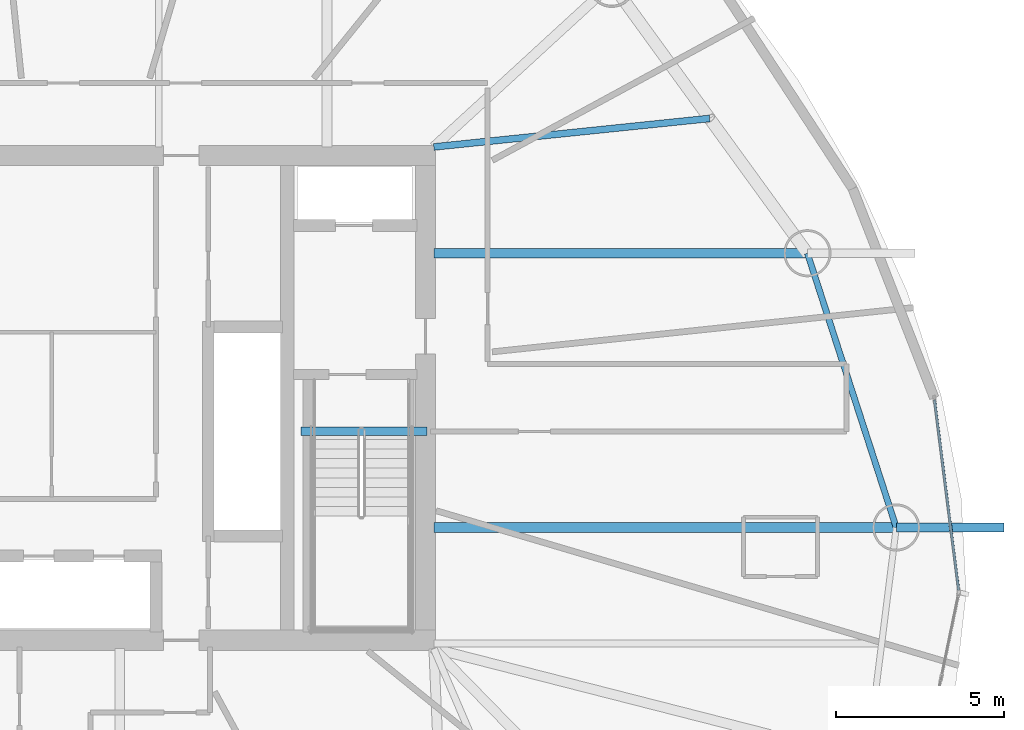
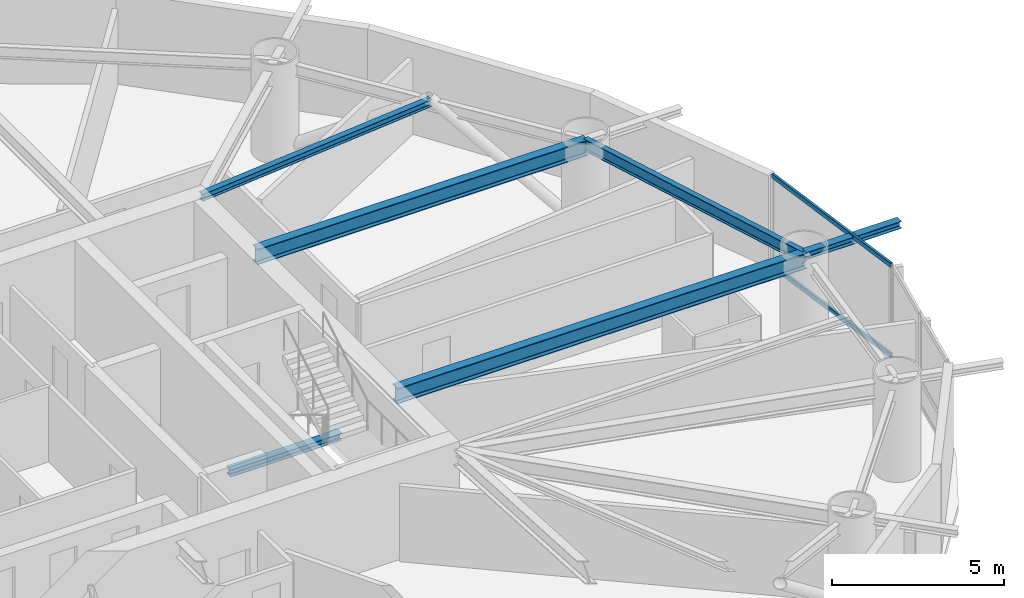
# One storey, part 11 of 26: 6 beams, 2 members, 1 element without a shape of its own.
"""IFC4 building model written with IfcOpenShell, lengths in metres."""

from ifc_helpers import new_model, si_unit, direction, frame, origin, origin_2d, place, context, subcontext, project, spatial, hollow_rectangle, i_section, extrude, material, layer, layer_set, material_profile, profile_set, type_object, element, aggregate, save


model = new_model("IFC4")

# Units and contexts
model_context = context("Model", 3, precision=1e-05, world=origin(), true_north=direction((0.0, 1.0)))
body_context = subcontext(model_context, "Body", "Model", "MODEL_VIEW")
ifc_project = project(units=[si_unit("LENGTHUNIT", "METRE"), si_unit("AREAUNIT", "SQUARE_METRE"), si_unit("VOLUMEUNIT", "CUBIC_METRE"), si_unit("PLANEANGLEUNIT", "RADIAN"), si_unit("MASSUNIT", "GRAM", prefix="KILO")], contexts=[model_context])

# Site, building, storey
site_placement = place(None, origin())
site = spatial("IfcSite", under=ifc_project, at=site_placement, CompositionType="ELEMENT")
building_placement = place(site_placement, origin())
building = spatial("IfcBuilding", under=site, at=building_placement, Name="Bramvorn Convention Spire", CompositionType="ELEMENT")
storey_placement = place(building_placement, frame((0.0, 0.0, 123.800048828125)))
storey = spatial("IfcBuildingStorey", under=building, at=storey_placement, Name="L30", CompositionType="ELEMENT", Elevation=123.800048828125)

# Beams
ifc_material_1 = material(Name="Steel CSA G40.21 Grade 350 (350W)", Category="steel")
ifc_material_profile_1 = material_profile(ifc_material_1, i_section(OverallWidth=0.201904296875, OverallDepth=0.2470703125, WebThickness=0.00732421875, FlangeThickness=0.010986328125, FilletRadius=0.011962890625, at=origin_2d()))
ifc_profile_set_1 = profile_set([ifc_material_profile_1], Name="Steel CSA G40.21 Grade 350 (350W) - W250X49")
beam_type_1 = type_object("IfcBeamType", Name="BM-W250X49", PredefinedType="JOIST", material=ifc_profile_set_1)
beam_1_placement = place(storey_placement, frame((49.25, 33.449951171875, 3.136474609375), z_axis=(0.994705076194, 0.102770673804, 0.0), x_axis=(-0.102770673804, 0.994705076194, 0.0)))
element("IfcBeam", 1, at=beam_1_placement, inside=storey, type_object=beam_type_1, Name="L30 composite floor joist 03", PredefinedType="JOIST", context=body_context, shape_type="SweptSolid", body=[
    extrude(i_section(OverallWidth=0.201904296875, OverallDepth=0.2470703125, WebThickness=0.00732421875, FlangeThickness=0.010986328125, FilletRadius=0.011962890625, at=origin_2d()), origin(), (0.0, 0.0, 1.0), 8.23388671875),
])
ifc_material_profile_2 = material_profile(ifc_material_1, i_section(OverallWidth=0.25390625, OverallDepth=0.2529296875, WebThickness=0.008544921875, FlangeThickness=0.01416015625, FilletRadius=0.011962890625, at=origin_2d()))
ifc_profile_set_2 = profile_set([ifc_material_profile_2], Name="Steel CSA G40.21 Grade 350 (350W) - W250X73")
beam_type_2 = type_object("IfcBeamType", Name="BM-W250X73", PredefinedType="BEAM", material=ifc_profile_set_2)
beam_2_placement = place(storey_placement, frame((62.983642578125, 22.148193359375, 3.133544921875), z_axis=(1.0, 0.0, 0.0), x_axis=(0.0, 1.0, 0.0)))
element("IfcBeam", 2, at=beam_2_placement, inside=storey, type_object=beam_type_2, Name="L30 slab-edge cantilever tip beam MC02", PredefinedType="BEAM", context=body_context, shape_type="SweptSolid", body=[
    extrude(i_section(OverallWidth=0.25390625, OverallDepth=0.2529296875, WebThickness=0.008544921875, FlangeThickness=0.01416015625, FilletRadius=0.011962890625, at=origin_2d()), origin(), (0.0, 0.0, 1.0), 3.199951171875),
])
beam_3_placement = place(storey_placement, frame((45.31005859375, 25.010009765625, -0.12646484375), z_axis=(1.0, 0.0, 0.0), x_axis=(0.0, 1.0, 0.0)))
element("IfcBeam", 3, at=beam_3_placement, inside=storey, type_object=beam_type_2, Name="L30 ST2 stair arrival header beam", PredefinedType="BEAM", context=body_context, shape_type="SweptSolid", body=[
    extrude(i_section(OverallWidth=0.25390625, OverallDepth=0.2529296875, WebThickness=0.008544921875, FlangeThickness=0.01416015625, FilletRadius=0.011962890625, at=origin_2d()), origin(), (0.0, 0.0, 1.0), 3.739990234375),
])
ifc_material_profile_3 = material_profile(ifc_material_1, i_section(OverallWidth=0.180908203125, OverallDepth=0.4169921875, WebThickness=0.010986328125, FlangeThickness=0.018310546875, FilletRadius=0.01611328125, at=origin_2d()))
ifc_profile_set_3 = profile_set([ifc_material_profile_3], Name="Steel CSA G40.21 Grade 350 (350W) - W410X85")
beam_type_3 = type_object("IfcBeamType", Name="BM-W410X85", PredefinedType="JOIST", material=ifc_profile_set_3)
beam_4_placement = place(storey_placement, frame((62.983642578125, 22.148193359375, 3.051513671875), z_axis=(-0.308114853612, 0.951349166701, 0.0), x_axis=(-0.951349166701, -0.308114853612, 0.0)))
element("IfcBeam", 4, at=beam_4_placement, inside=storey, type_object=beam_type_3, Name="L30 mega-column ring beam 02", PredefinedType="JOIST", context=body_context, shape_type="SweptSolid", body=[
    extrude(i_section(OverallWidth=0.180908203125, OverallDepth=0.4169921875, WebThickness=0.010986328125, FlangeThickness=0.018310546875, FilletRadius=0.01611328125, at=origin_2d()), origin(), (0.0, 0.0, 1.0), 8.5615234375),
])
ifc_material_profile_4 = material_profile(ifc_material_1, i_section(OverallWidth=0.2919921875, OverallDepth=0.551025390625, WebThickness=0.01513671875, FlangeThickness=0.0244140625, FilletRadius=0.01904296875, at=origin_2d()))
ifc_profile_set_4 = profile_set([ifc_material_profile_4], Name="Steel CSA G40.21 Grade 350 (350W) - W530X182")
beam_type_4 = type_object("IfcBeamType", Name="BM-W530X182", PredefinedType="BEAM", material=ifc_profile_set_4)
beam_5_placement = place(storey_placement, frame((49.25, 22.148193359375, 2.984375), z_axis=(1.0, 0.0, 0.0), x_axis=(0.0, 1.0, 0.0)))
element("IfcBeam", 5, at=beam_5_placement, inside=storey, type_object=beam_type_4, Name="L30 radial floor girder MC02", PredefinedType="BEAM", context=body_context, shape_type="SweptSolid", body=[
    extrude(i_section(OverallWidth=0.2919921875, OverallDepth=0.551025390625, WebThickness=0.01513671875, FlangeThickness=0.0244140625, FilletRadius=0.01904296875, at=origin_2d()), origin(), (0.0, 0.0, 1.0), 13.733642578125),
])
beam_6_placement = place(storey_placement, frame((49.25, 30.293212890625, 2.984375), z_axis=(1.0, 0.0, 0.0), x_axis=(0.0, 1.0, 0.0)))
element("IfcBeam", 6, at=beam_6_placement, inside=storey, type_object=beam_type_4, Name="L30 radial floor girder MC03", PredefinedType="BEAM", context=body_context, shape_type="SweptSolid", body=[
    extrude(i_section(OverallWidth=0.2919921875, OverallDepth=0.551025390625, WebThickness=0.01513671875, FlangeThickness=0.0244140625, FilletRadius=0.01904296875, at=origin_2d()), origin(), (0.0, 0.0, 1.0), 11.095703125),
])

# Curtain wall, members
ifc_material_2 = material(Name="Anodised Bronze Unitised Curtain Wall", Category="aluminium")
ifc_layer = layer(ifc_material_2, 0.179931640625)
ifc_layer_set = layer_set([ifc_layer], Name="Anodised Bronze Unitised Curtain Wall - CW-HTL-FRIT")
curtain_wall_type = type_object("IfcCurtainWallType", Name="CW-HTL-FRIT", PredefinedType="USERDEFINED", material=ifc_layer_set)
curtain_wall_placement = place(storey_placement, origin())
curtain_wall = element("IfcCurtainWall", 7, at=curtain_wall_placement, inside=storey, type_object=curtain_wall_type, Name="L30 fritted glass curtain wall 02", ObjectType="UNITISED CURTAIN WALL", PredefinedType="USERDEFINED")
ifc_material_3 = material(Name="Anodised Bronze Aluminium 6063-T6", Category="aluminium")
ifc_material_profile_5 = material_profile(ifc_material_3, hollow_rectangle(XDim=0.080078125, YDim=0.159912109375, WallThickness=0.00390625, InnerFilletRadius=0.0009765625, OuterFilletRadius=0.00390625, at=origin_2d()))
ifc_profile_set_5 = profile_set([ifc_material_profile_5], Name="Anodised Bronze Aluminium 6063-T6 - CWT80X160")
member_type = type_object("IfcMemberType", Name="CW-TRN-150", PredefinedType="USERDEFINED", material=ifc_profile_set_5)
member_1_placement = place(storey_placement, frame((64.118408203125, 25.9404296875, 0.030029296875), z_axis=(0.126078868926, -0.992020220968, 0.0), x_axis=(0.992020220968, 0.126078868926, 0.0)))
member_1 = element("IfcMember", 8, at=member_1_placement, type_object=member_type, Name="CW2 transom 1.1", ObjectType="TRANSOM", PredefinedType="USERDEFINED", context=body_context, shape_type="SweptSolid", body=[
    extrude(hollow_rectangle(XDim=0.080078125, YDim=0.159912109375, WallThickness=0.00390625, InnerFilletRadius=0.0009765625, OuterFilletRadius=0.00390625, at=origin_2d()), origin(), (0.0, 0.0, 1.0), 5.70263671875),
])
member_2_placement = place(storey_placement, frame((64.118408203125, 25.9404296875, 3.22998046875), z_axis=(0.126078868926, -0.992020220968, 0.0), x_axis=(0.992020220968, 0.126078868926, 0.0)))
member_2 = element("IfcMember", 9, at=member_2_placement, type_object=member_type, Name="CW2 transom 1.2", ObjectType="TRANSOM", PredefinedType="USERDEFINED", context=body_context, shape_type="SweptSolid", body=[
    extrude(hollow_rectangle(XDim=0.080078125, YDim=0.159912109375, WallThickness=0.00390625, InnerFilletRadius=0.0009765625, OuterFilletRadius=0.00390625, at=origin_2d()), origin(), (0.0, 0.0, 1.0), 5.70263671875),
])
aggregate(curtain_wall, [member_1, member_2])

save(model, "model.ifc")
